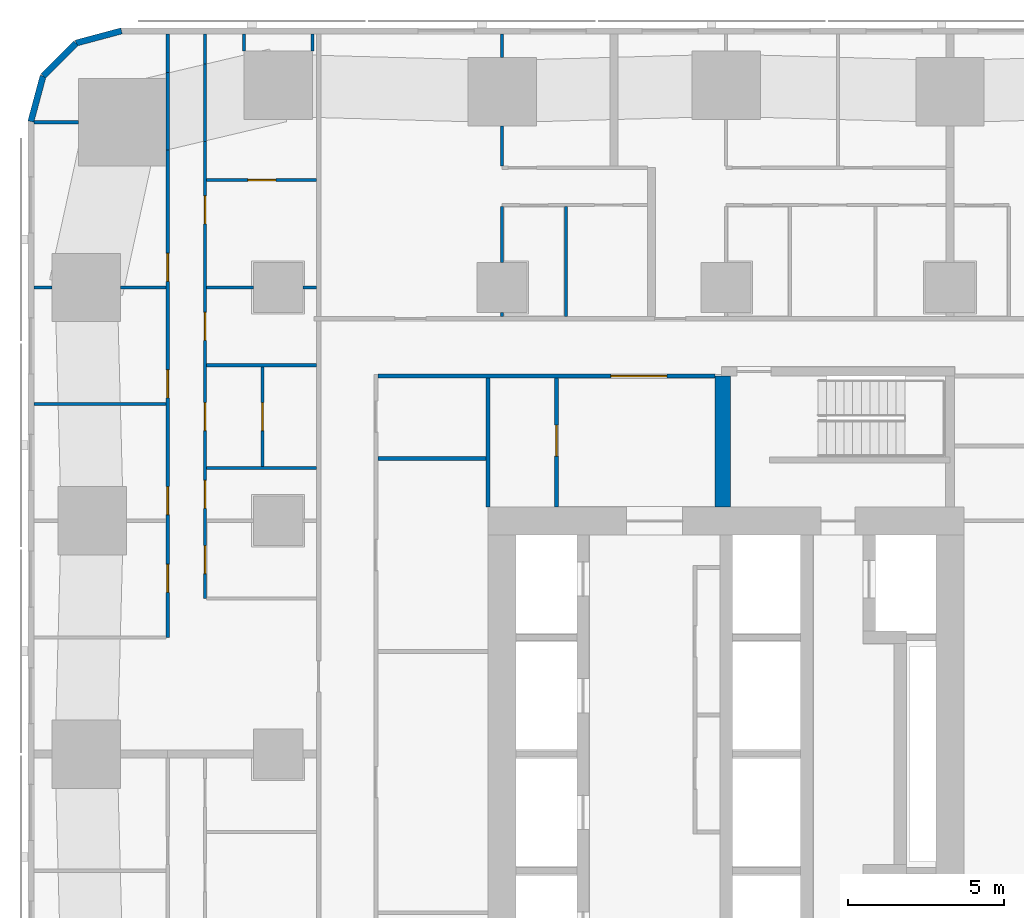
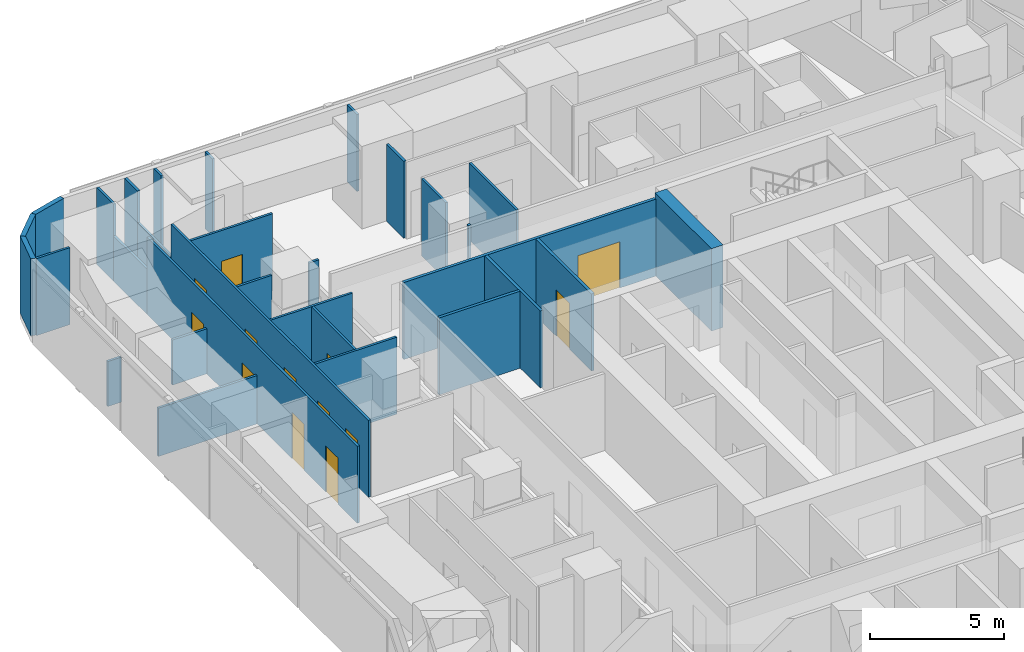
# One storey, part 9 of 17: 31 walls, 13 doors, 13 openings.
"""IFC4 building model written with IfcOpenShell, lengths in metres."""

from ifc_helpers import new_model, si_unit, direction, frame, frame_2d, origin, place, context, subcontext, project, spatial, rectangle, extrude, material, layer, layer_set, type_object, element, fill, save


model = new_model("IFC4")

# Units and contexts
model_context = context("Model", 3, precision=1e-05, world=origin(), true_north=direction((0.0, 1.0)))
body_context = subcontext(model_context, "Body", "Model", "MODEL_VIEW")
ifc_project = project(units=[si_unit("LENGTHUNIT", "METRE"), si_unit("AREAUNIT", "SQUARE_METRE"), si_unit("VOLUMEUNIT", "CUBIC_METRE"), si_unit("PLANEANGLEUNIT", "RADIAN"), si_unit("MASSUNIT", "GRAM", prefix="KILO")], contexts=[model_context])

# Site, building, storey
site_placement = place(None, origin())
site = spatial("IfcSite", under=ifc_project, at=site_placement, CompositionType="ELEMENT")
building_placement = place(site_placement, origin())
building = spatial("IfcBuilding", under=site, at=building_placement, Name="Sheger Commons Tower", CompositionType="ELEMENT")
storey_placement = place(building_placement, frame((0.0, 0.0, 115.39990234375)))
storey = spatial("IfcBuildingStorey", under=building, at=storey_placement, Name="L29", CompositionType="ELEMENT", Elevation=115.39990234375)

# Walls
ifc_material_1 = material(Name="Rendered concrete block masonry, dark grey", Category="masonry")
ifc_layer_1 = layer(ifc_material_1, 0.199951171875)
ifc_layer_set_1 = layer_set([ifc_layer_1], Name="FACADE WALL 200")
wall_type_1 = type_object("IfcWallType", Name="FACADE WALL 200", PredefinedType="SOLIDWALL", material=ifc_layer_set_1)
wall_1_placement = place(storey_placement, frame((2.1630859375, 45.75, 0.0), z_axis=(0.0, 0.0, 1.0), x_axis=(-0.965832000415, -0.259168954497, 0.0)))
element("IfcWall", 1, at=wall_1_placement, inside=storey, type_object=wall_type_1, Name="Facade wall L29", PredefinedType="SOLIDWALL", context=body_context, shape_type="SweptSolid", body=[
    extrude(rectangle(XDim=1.512939453125, YDim=0.199951171875, at=frame_2d((0.75634765625, 0.0))), origin(), (0.0, 0.0, 1.0), 3.5),
])
wall_2_placement = place(storey_placement, frame((0.701904296875, 45.35791015625, 0.0), z_axis=(0.0, 0.0, 1.0), x_axis=(-0.707106781187, -0.707106781187, 0.0)))
element("IfcWall", 2, at=wall_2_placement, inside=storey, type_object=wall_type_1, Name="Facade wall L29", PredefinedType="SOLIDWALL", context=body_context, shape_type="SweptSolid", body=[
    extrude(rectangle(XDim=1.498779296875, YDim=0.199951171875, at=frame_2d((0.74951171875, 0.0))), origin(), (0.0, 0.0, 1.0), 3.5),
])
wall_3_placement = place(storey_placement, frame((-0.35791015625, 44.298095703125, 0.0), z_axis=(0.0, 0.0, 1.0), x_axis=(-0.259168954497, -0.965832000415, 0.0)))
element("IfcWall", 3, at=wall_3_placement, inside=storey, type_object=wall_type_1, Name="Facade wall L29", PredefinedType="SOLIDWALL", context=body_context, shape_type="SweptSolid", body=[
    extrude(rectangle(XDim=1.512939453125, YDim=0.199951171875, at=frame_2d((0.75634765625, 0.0))), origin(), (0.0, 0.0, 1.0), 3.5),
])
ifc_material_2 = material(Name="Gypsum board on steel studs", Category="steel")
ifc_layer_2 = layer(ifc_material_2, 0.10009765625)
ifc_layer_set_2 = layer_set([ifc_layer_2], Name="PARTITION 100")
wall_type_2 = type_object("IfcWallType", Name="PARTITION 100", PredefinedType="PARTITIONING", material=ifc_layer_set_2)
for number, where, z_axis, x_axis, name in (
    (4, (6.10009765625, 45.10009765625, 0.0), (0.0, 0.0, 1.0), (0.0, 1.0, 0.0), "Partition L29"),
    (5, (8.300048828125, 45.64990234375, 0.0), (0.0, 0.0, 1.0), (0.0, -1.0, 0.0), "Partition L29"),
):
    element("IfcWall", number, at=place(storey_placement, frame(where, z_axis=z_axis, x_axis=x_axis)), inside=storey, type_object=wall_type_2, Name=name, PredefinedType="PARTITIONING", context=body_context, shape_type="SweptSolid", body=[
        extrude(rectangle(XDim=0.5498046875, YDim=0.10009765625, at=frame_2d((0.27490234375, 0.0))), origin(), (0.0, 0.0, 1.0), 3.5),
    ])

# Wall, openings, doors
wall_4_placement = place(storey_placement, frame((3.64990234375, 26.25, 0.0), z_axis=(0.0, 0.0, 1.0), x_axis=(0.0, 1.0, 0.0)))
wall_4 = element("IfcWall", 6, at=wall_4_placement, inside=storey, type_object=wall_type_2, Name="Partition L29", PredefinedType="PARTITIONING", context=body_context, shape_type="SweptSolid", body=[
    extrude(rectangle(XDim=15.6650390625, YDim=0.10009765625, at=frame_2d((7.83251953125, 0.0))), origin(), (0.0, 0.0, 1.0), 3.5),
])
opening_1_placement = place(wall_4_placement, frame((1.448974609375, 0.0, 0.0)))
opening_1 = element("IfcOpeningElement", 7, at=opening_1_placement, cuts=wall_4, Name="Opening D2", PredefinedType="OPENING", context=body_context, shape_type="SweptSolid", body=[
    extrude(rectangle(XDim=0.89990234375, YDim=2.10009765625, at=frame_2d((0.449951171875, 1.050048828125))), frame((0.0, 0.06005859375, 0.0), z_axis=(0.0, -1.0, 0.0), x_axis=(1.0, 0.0, 0.0)), (0.0, 0.0, 1.0), 0.1201171875),
])
opening_2_placement = place(wall_4_placement, frame((3.949951171875, 0.0, 0.0)))
opening_2 = element("IfcOpeningElement", 8, at=opening_2_placement, cuts=wall_4, Name="Opening D2", PredefinedType="OPENING", context=body_context, shape_type="SweptSolid", body=[
    extrude(rectangle(XDim=0.89990234375, YDim=2.10009765625, at=frame_2d((0.449951171875, 1.050048828125))), frame((0.0, 0.06005859375, 0.0), z_axis=(0.0, -1.0, 0.0), x_axis=(1.0, 0.0, 0.0)), (0.0, 0.0, 1.0), 0.1201171875),
])
opening_3_placement = place(wall_4_placement, frame((7.699951171875, 0.0, 0.0)))
opening_3 = element("IfcOpeningElement", 9, at=opening_3_placement, cuts=wall_4, Name="Opening D2", PredefinedType="OPENING", context=body_context, shape_type="SweptSolid", body=[
    extrude(rectangle(XDim=0.89990234375, YDim=2.10009765625, at=frame_2d((0.449951171875, 1.050048828125))), frame((0.0, 0.06005859375, 0.0), z_axis=(0.0, -1.0, 0.0), x_axis=(1.0, 0.0, 0.0)), (0.0, 0.0, 1.0), 0.1201171875),
])
opening_4_placement = place(wall_4_placement, frame((11.449951171875, 0.0, 0.0)))
opening_4 = element("IfcOpeningElement", 10, at=opening_4_placement, cuts=wall_4, Name="Opening D2", PredefinedType="OPENING", context=body_context, shape_type="SweptSolid", body=[
    extrude(rectangle(XDim=0.89990234375, YDim=2.10009765625, at=frame_2d((0.449951171875, 1.050048828125))), frame((0.0, 0.06005859375, 0.0), z_axis=(0.0, -1.0, 0.0), x_axis=(1.0, 0.0, 0.0)), (0.0, 0.0, 1.0), 0.1201171875),
])
ifc_material_3 = material(Name="Timber door set", Category="wood")
door_type_1 = type_object("IfcDoorType", Name="INTERNAL DOOR 900x2100", OperationType="NOTDEFINED", PredefinedType="DOOR", material=ifc_material_3)
door_1_placement = place(opening_1_placement, origin())
door_1 = element("IfcDoor", 11, at=door_1_placement, inside=storey, type_object=door_type_1, Name="Main bedroom door", OperationType="SINGLE_SWING_LEFT", OverallHeight=2.10009765625, OverallWidth=0.89990234375, PredefinedType="DOOR", context=body_context, shape_type="SweptSolid", body=[
    extrude(rectangle(XDim=0.89990234375, YDim=2.10009765625, at=frame_2d((0.449951171875, 1.050048828125))), frame((0.0, 0.02490234375, 0.0), z_axis=(0.0, -1.0, 0.0), x_axis=(1.0, 0.0, 0.0)), (0.0, 0.0, 1.0), 0.050048828125),
])
fill(opening_1, door_1)
door_2_placement = place(opening_2_placement, origin())
door_2 = element("IfcDoor", 12, at=door_2_placement, inside=storey, type_object=door_type_1, Name="Bedroom 2 door", OperationType="SINGLE_SWING_LEFT", OverallHeight=2.10009765625, OverallWidth=0.89990234375, PredefinedType="DOOR", context=body_context, shape_type="SweptSolid", body=[
    extrude(rectangle(XDim=0.89990234375, YDim=2.10009765625, at=frame_2d((0.449951171875, 1.050048828125))), frame((0.0, 0.02490234375, 0.0), z_axis=(0.0, -1.0, 0.0), x_axis=(1.0, 0.0, 0.0)), (0.0, 0.0, 1.0), 0.050048828125),
])
fill(opening_2, door_2)
door_3_placement = place(opening_3_placement, origin())
door_3 = element("IfcDoor", 13, at=door_3_placement, inside=storey, type_object=door_type_1, Name="Bedroom 3 door", OperationType="SINGLE_SWING_LEFT", OverallHeight=2.10009765625, OverallWidth=0.89990234375, PredefinedType="DOOR", context=body_context, shape_type="SweptSolid", body=[
    extrude(rectangle(XDim=0.89990234375, YDim=2.10009765625, at=frame_2d((0.449951171875, 1.050048828125))), frame((0.0, 0.02490234375, 0.0), z_axis=(0.0, -1.0, 0.0), x_axis=(1.0, 0.0, 0.0)), (0.0, 0.0, 1.0), 0.050048828125),
])
fill(opening_3, door_3)
door_4_placement = place(opening_4_placement, origin())
door_4 = element("IfcDoor", 14, at=door_4_placement, inside=storey, type_object=door_type_1, Name="Bedroom 4 door", OperationType="SINGLE_SWING_LEFT", OverallHeight=2.10009765625, OverallWidth=0.89990234375, PredefinedType="DOOR", context=body_context, shape_type="SweptSolid", body=[
    extrude(rectangle(XDim=0.89990234375, YDim=2.10009765625, at=frame_2d((0.449951171875, 1.050048828125))), frame((0.0, 0.02490234375, 0.0), z_axis=(0.0, -1.0, 0.0), x_axis=(1.0, 0.0, 0.0)), (0.0, 0.0, 1.0), 0.050048828125),
])
fill(opening_4, door_4)

# Walls
wall_5_placement = place(storey_placement, frame((3.64990234375, 41.9150390625, 0.0), z_axis=(0.0, 0.0, 1.0), x_axis=(0.0, 1.0, 0.0)))
element("IfcWall", 15, at=wall_5_placement, inside=storey, type_object=wall_type_2, Name="Partition L29", PredefinedType="PARTITIONING", context=body_context, shape_type="SweptSolid", body=[
    extrude(rectangle(XDim=2.489990234375, YDim=0.10009765625, at=frame_2d((1.2451171875, 0.0))), origin(), (0.0, 0.0, 1.0), 2.050048828125),
])
wall_6_placement = place(storey_placement, frame((3.64990234375, 44.405029296875, 0.0), z_axis=(0.0, 0.0, 1.0), x_axis=(0.0, 1.0, 0.0)))
element("IfcWall", 16, at=wall_6_placement, inside=storey, type_object=wall_type_2, Name="Partition L29", PredefinedType="PARTITIONING", context=body_context, shape_type="SweptSolid", body=[
    extrude(rectangle(XDim=1.244873046875, YDim=0.10009765625, at=frame_2d((0.62255859375, 0.0))), origin(), (0.0, 0.0, 1.0), 3.5),
])

# Wall, openings, doors
wall_7_placement = place(storey_placement, frame((4.85009765625, 27.4990234375, 0.0), z_axis=(0.0, 0.0, 1.0), x_axis=(0.0, 1.0, 0.0)))
wall_7 = element("IfcWall", 17, at=wall_7_placement, inside=storey, type_object=wall_type_2, Name="Partition L29", PredefinedType="PARTITIONING", context=body_context, shape_type="SweptSolid", body=[
    extrude(rectangle(XDim=14.699951171875, YDim=0.10009765625, at=frame_2d((7.35009765625, 0.0))), origin(), (0.0, 0.0, 1.0), 3.5),
])
opening_5_placement = place(wall_7_placement, frame((0.800048828125, 0.0, 0.0)))
opening_5 = element("IfcOpeningElement", 18, at=opening_5_placement, cuts=wall_7, Name="Opening D2", PredefinedType="OPENING", context=body_context, shape_type="SweptSolid", body=[
    extrude(rectangle(XDim=0.89990234375, YDim=2.10009765625, at=frame_2d((0.449951171875, 1.050048828125))), frame((0.0, 0.06005859375, 0.0), z_axis=(0.0, -1.0, 0.0), x_axis=(1.0, 0.0, 0.0)), (0.0, 0.0, 1.0), 0.1201171875),
])
opening_6_placement = place(wall_7_placement, frame((2.90087890625, 0.0, 0.0)))
opening_6 = element("IfcOpeningElement", 19, at=opening_6_placement, cuts=wall_7, Name="Opening D2", PredefinedType="OPENING", context=body_context, shape_type="SweptSolid", body=[
    extrude(rectangle(XDim=0.89990234375, YDim=2.10009765625, at=frame_2d((0.449951171875, 1.050048828125))), frame((0.0, 0.06005859375, 0.0), z_axis=(0.0, -1.0, 0.0), x_axis=(1.0, 0.0, 0.0)), (0.0, 0.0, 1.0), 0.1201171875),
])
opening_7_placement = place(wall_7_placement, frame((8.300048828125, 0.0, 0.0)))
opening_7 = element("IfcOpeningElement", 20, at=opening_7_placement, cuts=wall_7, Name="Opening D2", PredefinedType="OPENING", context=body_context, shape_type="SweptSolid", body=[
    extrude(rectangle(XDim=0.89990234375, YDim=2.10009765625, at=frame_2d((0.449951171875, 1.050048828125))), frame((0.0, 0.06005859375, 0.0), z_axis=(0.0, -1.0, 0.0), x_axis=(1.0, 0.0, 0.0)), (0.0, 0.0, 1.0), 0.1201171875),
])
opening_8_placement = place(wall_7_placement, frame((12.050048828125, 0.0, 0.0)))
opening_8 = element("IfcOpeningElement", 21, at=opening_8_placement, cuts=wall_7, Name="Opening D2", PredefinedType="OPENING", context=body_context, shape_type="SweptSolid", body=[
    extrude(rectangle(XDim=0.89990234375, YDim=2.10009765625, at=frame_2d((0.449951171875, 1.050048828125))), frame((0.0, 0.06005859375, 0.0), z_axis=(0.0, -1.0, 0.0), x_axis=(1.0, 0.0, 0.0)), (0.0, 0.0, 1.0), 0.1201171875),
])
opening_9_placement = place(wall_7_placement, frame((5.39990234375, 0.0, 0.0)))
opening_9 = element("IfcOpeningElement", 22, at=opening_9_placement, cuts=wall_7, Name="Opening D2", PredefinedType="OPENING", context=body_context, shape_type="SweptSolid", body=[
    extrude(rectangle(XDim=0.89990234375, YDim=2.10009765625, at=frame_2d((0.449951171875, 1.050048828125))), frame((0.0, 0.06005859375, 0.0), z_axis=(0.0, -1.0, 0.0), x_axis=(1.0, 0.0, 0.0)), (0.0, 0.0, 1.0), 0.1201171875),
])
door_5_placement = place(opening_5_placement, origin())
door_5 = element("IfcDoor", 23, at=door_5_placement, inside=storey, type_object=door_type_1, Name="Bathroom door", OperationType="SINGLE_SWING_RIGHT", OverallHeight=2.10009765625, OverallWidth=0.89990234375, PredefinedType="DOOR", context=body_context, shape_type="SweptSolid", body=[
    extrude(rectangle(XDim=0.89990234375, YDim=2.10009765625, at=frame_2d((0.449951171875, 1.050048828125))), frame((0.0, 0.02490234375, 0.0), z_axis=(0.0, -1.0, 0.0), x_axis=(1.0, 0.0, 0.0)), (0.0, 0.0, 1.0), 0.050048828125),
])
fill(opening_5, door_5)
door_6_placement = place(opening_6_placement, origin())
door_6 = element("IfcDoor", 24, at=door_6_placement, inside=storey, type_object=door_type_1, Name="Laundry room door", OperationType="SINGLE_SWING_RIGHT", OverallHeight=2.10009765625, OverallWidth=0.89990234375, PredefinedType="DOOR", context=body_context, shape_type="SweptSolid", body=[
    extrude(rectangle(XDim=0.89990234375, YDim=2.10009765625, at=frame_2d((0.449951171875, 1.050048828125))), frame((0.0, 0.02490234375, 0.0), z_axis=(0.0, -1.0, 0.0), x_axis=(1.0, 0.0, 0.0)), (0.0, 0.0, 1.0), 0.050048828125),
])
fill(opening_6, door_6)
door_7_placement = place(opening_7_placement, origin())
door_7 = element("IfcDoor", 25, at=door_7_placement, inside=storey, type_object=door_type_1, Name="Store and laundry door", OperationType="SINGLE_SWING_RIGHT", OverallHeight=2.10009765625, OverallWidth=0.89990234375, PredefinedType="DOOR", context=body_context, shape_type="SweptSolid", body=[
    extrude(rectangle(XDim=0.89990234375, YDim=2.10009765625, at=frame_2d((0.449951171875, 1.050048828125))), frame((0.0, 0.02490234375, 0.0), z_axis=(0.0, -1.0, 0.0), x_axis=(1.0, 0.0, 0.0)), (0.0, 0.0, 1.0), 0.050048828125),
])
fill(opening_7, door_7)
door_8_placement = place(opening_8_placement, origin())
door_8 = element("IfcDoor", 26, at=door_8_placement, inside=storey, type_object=door_type_1, Name="Store and laundry door", OperationType="SINGLE_SWING_LEFT", OverallHeight=2.10009765625, OverallWidth=0.89990234375, PredefinedType="DOOR", context=body_context, shape_type="SweptSolid", body=[
    extrude(rectangle(XDim=0.89990234375, YDim=2.10009765625, at=frame_2d((0.449951171875, 1.050048828125))), frame((0.0, 0.02490234375, 0.0), z_axis=(0.0, -1.0, 0.0), x_axis=(1.0, 0.0, 0.0)), (0.0, 0.0, 1.0), 0.050048828125),
])
fill(opening_8, door_8)
door_9_placement = place(opening_9_placement, origin())
door_9 = element("IfcDoor", 27, at=door_9_placement, inside=storey, type_object=door_type_1, Name="Store door", OperationType="SINGLE_SWING_LEFT", OverallHeight=2.10009765625, OverallWidth=0.89990234375, PredefinedType="DOOR", context=body_context, shape_type="SweptSolid", body=[
    extrude(rectangle(XDim=0.89990234375, YDim=2.10009765625, at=frame_2d((0.449951171875, 1.050048828125))), frame((0.0, 0.02490234375, 0.0), z_axis=(0.0, -1.0, 0.0), x_axis=(1.0, 0.0, 0.0)), (0.0, 0.0, 1.0), 0.050048828125),
])
fill(opening_9, door_9)

# Walls
wall_8_placement = place(storey_placement, frame((4.85009765625, 42.198974609375, 0.0), z_axis=(0.0, 0.0, 1.0), x_axis=(0.0, 1.0, 0.0)))
element("IfcWall", 28, at=wall_8_placement, inside=storey, type_object=wall_type_2, Name="Partition L29", PredefinedType="PARTITIONING", context=body_context, shape_type="SweptSolid", body=[
    extrude(rectangle(XDim=2.489990234375, YDim=0.10009765625, at=frame_2d((1.2451171875, 0.0))), origin(), (0.0, 0.0, 1.0), 2.050048828125),
])
wall_9_placement = place(storey_placement, frame((4.85009765625, 44.68896484375, 0.0), z_axis=(0.0, 0.0, 1.0), x_axis=(0.0, 1.0, 0.0)))
element("IfcWall", 29, at=wall_9_placement, inside=storey, type_object=wall_type_2, Name="Partition L29", PredefinedType="PARTITIONING", context=body_context, shape_type="SweptSolid", body=[
    extrude(rectangle(XDim=0.9609375, YDim=0.10009765625, at=frame_2d((0.48046875, 0.0))), origin(), (0.0, 0.0, 1.0), 3.5),
])
wall_10_placement = place(storey_placement, frame((-0.64990234375, 33.75, 0.0), z_axis=(0.0, 0.0, 1.0), x_axis=(1.0, 0.0, 0.0)))
element("IfcWall", 30, at=wall_10_placement, inside=storey, type_object=wall_type_2, Name="Partition L29", PredefinedType="PARTITIONING", context=body_context, shape_type="SweptSolid", body=[
    extrude(rectangle(XDim=4.25, YDim=0.10009765625, at=frame_2d((2.125, 0.0))), origin(), (0.0, 0.0, 1.0), 2.2001953125),
])
wall_11_placement = place(storey_placement, frame((-0.64990234375, 37.5, 0.0), z_axis=(0.0, 0.0, 1.0), x_axis=(1.0, 0.0, 0.0)))
element("IfcWall", 31, at=wall_11_placement, inside=storey, type_object=wall_type_2, Name="Partition L29", PredefinedType="PARTITIONING", context=body_context, shape_type="SweptSolid", body=[
    extrude(rectangle(XDim=0.573974609375, YDim=0.10009765625, at=frame_2d((0.287109375, 0.0))), origin(), (0.0, 0.0, 1.0), 2.050048828125),
])
wall_12_placement = place(storey_placement, frame((2.1259765625, 37.5, 0.0), z_axis=(0.0, 0.0, 1.0), x_axis=(1.0, 0.0, 0.0)))
element("IfcWall", 32, at=wall_12_placement, inside=storey, type_object=wall_type_2, Name="Partition L29", PredefinedType="PARTITIONING", context=body_context, shape_type="SweptSolid", body=[
    extrude(rectangle(XDim=1.47412109375, YDim=0.10009765625, at=frame_2d((0.737060546875, 0.0))), origin(), (0.0, 0.0, 1.0), 2.050048828125),
])
wall_13_placement = place(storey_placement, frame((-0.64990234375, 42.81396484375, 0.0), z_axis=(0.0, 0.0, 1.0), x_axis=(1.0, 0.0, 0.0)))
element("IfcWall", 33, at=wall_13_placement, inside=storey, type_object=wall_type_2, Name="Partition L29", PredefinedType="PARTITIONING", context=body_context, shape_type="SweptSolid", body=[
    extrude(rectangle(XDim=1.434814453125, YDim=0.10009765625, at=frame_2d((0.71728515625, 0.0))), origin(), (0.0, 0.0, 1.0), 3.5),
])
wall_14_placement = place(storey_placement, frame((4.89990234375, 34.9990234375, 0.0), z_axis=(0.0, 0.0, 1.0), x_axis=(1.0, 0.0, 0.0)))
element("IfcWall", 34, at=wall_14_placement, inside=storey, type_object=wall_type_2, Name="Partition L29", PredefinedType="PARTITIONING", context=body_context, shape_type="SweptSolid", body=[
    extrude(rectangle(XDim=3.525146484375, YDim=0.10009765625, at=frame_2d((1.7626953125, 0.0))), origin(), (0.0, 0.0, 1.0), 3.5),
])
wall_15_placement = place(storey_placement, frame((4.89990234375, 37.5, 0.0), z_axis=(0.0, 0.0, 1.0), x_axis=(1.0, 0.0, 0.0)))
element("IfcWall", 35, at=wall_15_placement, inside=storey, type_object=wall_type_2, Name="Partition L29", PredefinedType="PARTITIONING", context=body_context, shape_type="SweptSolid", body=[
    extrude(rectangle(XDim=1.4990234375, YDim=0.10009765625, at=frame_2d((0.74951171875, 0.0))), origin(), (0.0, 0.0, 1.0), 3.5),
])
wall_16_placement = place(storey_placement, frame((8.0009765625, 37.5, 0.0), z_axis=(0.0, 0.0, 1.0), x_axis=(1.0, 0.0, 0.0)))
element("IfcWall", 36, at=wall_16_placement, inside=storey, type_object=wall_type_2, Name="Partition L29", PredefinedType="PARTITIONING", context=body_context, shape_type="SweptSolid", body=[
    extrude(rectangle(XDim=0.424072265625, YDim=0.10009765625, at=frame_2d((0.2119140625, 0.0))), origin(), (0.0, 0.0, 1.0), 3.5),
])
wall_17_placement = place(storey_placement, frame((4.89990234375, 31.699951171875, 0.0), z_axis=(0.0, 0.0, 1.0), x_axis=(1.0, 0.0, 0.0)))
element("IfcWall", 37, at=wall_17_placement, inside=storey, type_object=wall_type_2, Name="Partition L29", PredefinedType="PARTITIONING", context=body_context, shape_type="SweptSolid", body=[
    extrude(rectangle(XDim=3.525146484375, YDim=0.10009765625, at=frame_2d((1.7626953125, 0.0))), origin(), (0.0, 0.0, 1.0), 3.5),
])
wall_18_placement = place(storey_placement, frame((14.39990234375, 41.39990234375, 0.0), z_axis=(0.0, 0.0, 1.0), x_axis=(0.0, 1.0, 0.0)))
element("IfcWall", 38, at=wall_18_placement, inside=storey, type_object=wall_type_2, Name="Partition L29", PredefinedType="PARTITIONING", context=body_context, shape_type="SweptSolid", body=[
    extrude(rectangle(XDim=1.299072265625, YDim=0.10009765625, at=frame_2d((0.6494140625, 0.0))), origin(), (0.0, 0.0, 1.0), 3.5),
])
wall_19_placement = place(storey_placement, frame((14.39990234375, 44.90087890625, 0.0), z_axis=(0.0, 0.0, 1.0), x_axis=(0.0, 1.0, 0.0)))
element("IfcWall", 39, at=wall_19_placement, inside=storey, type_object=wall_type_2, Name="Partition L29", PredefinedType="PARTITIONING", context=body_context, shape_type="SweptSolid", body=[
    extrude(rectangle(XDim=0.7490234375, YDim=0.10009765625, at=frame_2d((0.37451171875, 0.0))), origin(), (0.0, 0.0, 1.0), 3.5),
])
wall_20_placement = place(storey_placement, frame((14.39990234375, 36.574951171875, 0.0), z_axis=(0.0, 0.0, 1.0), x_axis=(0.0, 1.0, 0.0)))
element("IfcWall", 40, at=wall_20_placement, inside=storey, type_object=wall_type_2, Name="Partition L29", PredefinedType="PARTITIONING", context=body_context, shape_type="SweptSolid", body=[
    extrude(rectangle(XDim=0.1240234375, YDim=0.10009765625, at=frame_2d((0.06201171875, 0.0))), origin(), (0.0, 0.0, 1.0), 3.5),
])
wall_21_placement = place(storey_placement, frame((14.39990234375, 38.301025390625, 0.0), z_axis=(0.0, 0.0, 1.0), x_axis=(0.0, 1.0, 0.0)))
element("IfcWall", 41, at=wall_21_placement, inside=storey, type_object=wall_type_2, Name="Partition L29", PredefinedType="PARTITIONING", context=body_context, shape_type="SweptSolid", body=[
    extrude(rectangle(XDim=1.799072265625, YDim=0.10009765625, at=frame_2d((0.8994140625, 0.0))), origin(), (0.0, 0.0, 1.0), 3.5),
])
wall_22_placement = place(storey_placement, frame((16.449951171875, 36.574951171875, 0.0), z_axis=(0.0, 0.0, 1.0), x_axis=(0.0, 1.0, 0.0)))
element("IfcWall", 42, at=wall_22_placement, inside=storey, type_object=wall_type_2, Name="Partition L29", PredefinedType="PARTITIONING", context=body_context, shape_type="SweptSolid", body=[
    extrude(rectangle(XDim=3.525146484375, YDim=0.10009765625, at=frame_2d((1.7626953125, 0.0))), origin(), (0.0, 0.0, 1.0), 3.5),
])

# Wall, opening, door
wall_23_placement = place(storey_placement, frame((6.699951171875, 31.75, 0.0), z_axis=(0.0, 0.0, 1.0), x_axis=(0.0, 1.0, 0.0)))
wall_23 = element("IfcWall", 43, at=wall_23_placement, inside=storey, type_object=wall_type_2, Name="Partition L29", PredefinedType="PARTITIONING", context=body_context, shape_type="SweptSolid", body=[
    extrude(rectangle(XDim=3.198974609375, YDim=0.10009765625, at=frame_2d((1.599609375, 0.0))), origin(), (0.0, 0.0, 1.0), 3.5),
])
opening_10_placement = place(wall_23_placement, frame((1.14892578125, 0.0, 0.0)))
opening_10 = element("IfcOpeningElement", 44, at=opening_10_placement, cuts=wall_23, Name="Opening D2", PredefinedType="OPENING", context=body_context, shape_type="SweptSolid", body=[
    extrude(rectangle(XDim=0.89990234375, YDim=2.10009765625, at=frame_2d((0.449951171875, 1.050048828125))), frame((0.0, 0.06005859375, 0.0), z_axis=(0.0, -1.0, 0.0), x_axis=(1.0, 0.0, 0.0)), (0.0, 0.0, 1.0), 0.1201171875),
])
door_10_placement = place(opening_10_placement, origin())
door_10 = element("IfcDoor", 45, at=door_10_placement, inside=storey, type_object=door_type_1, Name="Store door", OperationType="SINGLE_SWING_LEFT", OverallHeight=2.10009765625, OverallWidth=0.89990234375, PredefinedType="DOOR", context=body_context, shape_type="SweptSolid", body=[
    extrude(rectangle(XDim=0.89990234375, YDim=2.10009765625, at=frame_2d((0.449951171875, 1.050048828125))), frame((0.0, 0.02490234375, 0.0), z_axis=(0.0, -1.0, 0.0), x_axis=(1.0, 0.0, 0.0)), (0.0, 0.0, 1.0), 0.050048828125),
])
fill(opening_10, door_10)

wall_24_placement = place(storey_placement, frame((8.425048828125, 40.949951171875, 0.0), z_axis=(0.0, 0.0, 1.0), x_axis=(-1.0, 0.0, 0.0)))
wall_24 = element("IfcWall", 46, at=wall_24_placement, inside=storey, type_object=wall_type_2, Name="Partition L29", PredefinedType="PARTITIONING", context=body_context, shape_type="SweptSolid", body=[
    extrude(rectangle(XDim=3.525146484375, YDim=0.10009765625, at=frame_2d((1.7626953125, 0.0))), origin(), (0.0, 0.0, 1.0), 3.5),
])
opening_11_placement = place(wall_24_placement, frame((1.300048828125, 0.0, 0.0)))
opening_11 = element("IfcOpeningElement", 47, at=opening_11_placement, cuts=wall_24, Name="Opening D2", PredefinedType="OPENING", context=body_context, shape_type="SweptSolid", body=[
    extrude(rectangle(XDim=0.89990234375, YDim=2.10009765625, at=frame_2d((0.449951171875, 1.050048828125))), frame((0.0, 0.06005859375, 0.0), z_axis=(0.0, -1.0, 0.0), x_axis=(1.0, 0.0, 0.0)), (0.0, 0.0, 1.0), 0.1201171875),
])
door_11_placement = place(opening_11_placement, origin())
door_11 = element("IfcDoor", 48, at=door_11_placement, inside=storey, type_object=door_type_1, Name="Store door", OperationType="SINGLE_SWING_LEFT", OverallHeight=2.10009765625, OverallWidth=0.89990234375, PredefinedType="DOOR", context=body_context, shape_type="SweptSolid", body=[
    extrude(rectangle(XDim=0.89990234375, YDim=2.10009765625, at=frame_2d((0.449951171875, 1.050048828125))), frame((0.0, 0.02490234375, 0.0), z_axis=(0.0, -1.0, 0.0), x_axis=(1.0, 0.0, 0.0)), (0.0, 0.0, 1.0), 0.050048828125),
])
fill(opening_11, door_11)

# Walls
ifc_material_4 = material(Name="Gypsum board on steel studs, two layers each side, fire rated", Category="steel")
ifc_layer_3 = layer(ifc_material_4, 0.125)
ifc_layer_set_3 = layer_set([ifc_layer_3], Name="SERVICE WALL 125")
wall_type_3 = type_object("IfcWallType", Name="SERVICE WALL 125", PredefinedType="PARTITIONING", material=ifc_layer_set_3)
wall_25_placement = place(storey_placement, frame((10.4130859375, 32.0, 0.0), z_axis=(0.0, 0.0, 1.0), x_axis=(1.0, 0.0, 0.0)))
element("IfcWall", 49, at=wall_25_placement, inside=storey, type_object=wall_type_3, Name="Service room wall L29", PredefinedType="PARTITIONING", context=body_context, shape_type="SweptSolid", body=[
    extrude(rectangle(XDim=3.474853515625, YDim=0.125, at=frame_2d((1.7373046875, 0.0))), origin(), (0.0, 0.0, 1.0), 3.5),
])
wall_26_placement = place(storey_placement, frame((13.949951171875, 30.449951171875, 0.0), z_axis=(0.0, 0.0, 1.0), x_axis=(0.0, 1.0, 0.0)))
element("IfcWall", 50, at=wall_26_placement, inside=storey, type_object=wall_type_3, Name="Service room wall L29", PredefinedType="PARTITIONING", context=body_context, shape_type="SweptSolid", body=[
    extrude(rectangle(XDim=4.136962890625, YDim=0.125, at=frame_2d((2.068359375, 0.0))), origin(), (0.0, 0.0, 1.0), 3.5),
])

# Wall, opening, door
wall_27_placement = place(storey_placement, frame((10.4130859375, 34.64990234375, 0.0), z_axis=(0.0, 0.0, 1.0), x_axis=(1.0, 0.0, 0.0)))
wall_27 = element("IfcWall", 51, at=wall_27_placement, inside=storey, type_object=wall_type_3, Name="Service room wall L29", PredefinedType="PARTITIONING", context=body_context, shape_type="SweptSolid", body=[
    extrude(rectangle(XDim=10.8369140625, YDim=0.125, at=frame_2d((5.41845703125, 0.0))), origin(), (0.0, 0.0, 1.0), 3.5),
])
opening_12_placement = place(wall_27_placement, frame((7.487060546875, 0.0, 0.0)))
opening_12 = element("IfcOpeningElement", 52, at=opening_12_placement, cuts=wall_27, Name="Opening D6", PredefinedType="OPENING", context=body_context, shape_type="SweptSolid", body=[
    extrude(rectangle(XDim=1.800048828125, YDim=2.10009765625, at=frame_2d((0.89990234375, 1.050048828125))), frame((0.0, 0.072509765625, 0.0), z_axis=(0.0, -1.0, 0.0), x_axis=(1.0, 0.0, 0.0)), (0.0, 0.0, 1.0), 0.14501953125),
])
ifc_material_5 = material(Name="Steel door set, fire rated", Category="steel")
door_type_2 = type_object("IfcDoorType", Name="LOBBY DOUBLE DOOR 1800x2100", OperationType="DOUBLE_DOOR_SINGLE_SWING", PredefinedType="DOOR", material=ifc_material_5)
door_12_placement = place(opening_12_placement, origin())
door_12 = element("IfcDoor", 53, at=door_12_placement, inside=storey, type_object=door_type_2, Name="Lift lobby north door", OperationType="DOUBLE_DOOR_SINGLE_SWING", OverallHeight=2.10009765625, OverallWidth=1.800048828125, PredefinedType="DOOR", context=body_context, shape_type="SweptSolid", body=[
    extrude(rectangle(XDim=1.800048828125, YDim=2.10009765625, at=frame_2d((0.89990234375, 1.050048828125))), frame((0.0, 0.02490234375, 0.0), z_axis=(0.0, -1.0, 0.0), x_axis=(1.0, 0.0, 0.0)), (0.0, 0.0, 1.0), 0.050048828125),
])
fill(opening_12, door_12)

wall_28_placement = place(storey_placement, frame((16.14990234375, 30.449951171875, 0.0), z_axis=(0.0, 0.0, 1.0), x_axis=(0.0, 1.0, 0.0)))
wall_28 = element("IfcWall", 54, at=wall_28_placement, inside=storey, type_object=wall_type_3, Name="Service room wall L29", PredefinedType="PARTITIONING", context=body_context, shape_type="SweptSolid", body=[
    extrude(rectangle(XDim=4.136962890625, YDim=0.125, at=frame_2d((2.068359375, 0.0))), origin(), (0.0, 0.0, 1.0), 3.5),
])
opening_13_placement = place(wall_28_placement, frame((1.625, 0.0, 0.0)))
opening_13 = element("IfcOpeningElement", 55, at=opening_13_placement, cuts=wall_28, Name="Opening D4", PredefinedType="OPENING", context=body_context, shape_type="SweptSolid", body=[
    extrude(rectangle(XDim=1.0, YDim=2.10009765625, at=frame_2d((0.5, 1.050048828125))), frame((0.0, 0.072509765625, 0.0), z_axis=(0.0, -1.0, 0.0), x_axis=(1.0, 0.0, 0.0)), (0.0, 0.0, 1.0), 0.14501953125),
])
ifc_material_6 = material(Name="Steel door set, fire rated", Category="steel")
door_type_3 = type_object("IfcDoorType", Name="SERVICE DOOR 1000x2100", OperationType="NOTDEFINED", PredefinedType="DOOR", material=ifc_material_6)
door_13_placement = place(opening_13_placement, origin())
door_13 = element("IfcDoor", 56, at=door_13_placement, inside=storey, type_object=door_type_3, Name="Telecom room door", OperationType="SINGLE_SWING_RIGHT", OverallHeight=2.10009765625, OverallWidth=1.0, PredefinedType="DOOR", context=body_context, shape_type="SweptSolid", body=[
    extrude(rectangle(XDim=1.0, YDim=2.10009765625, at=frame_2d((0.5, 1.050048828125))), frame((0.0, 0.02490234375, 0.0), z_axis=(0.0, -1.0, 0.0), x_axis=(1.0, 0.0, 0.0)), (0.0, 0.0, 1.0), 0.050048828125),
])
fill(opening_13, door_13)

# Wall
ifc_material_7 = material(Name="Concrete C50/60", Category="concrete")
ifc_layer_4 = layer(ifc_material_7, 0.5)
ifc_layer_set_4 = layer_set([ifc_layer_4], Name="STAIR CORE WALL 500")
wall_type_4 = type_object("IfcWallType", Name="STAIR CORE WALL 500", PredefinedType="SHEAR", material=ifc_layer_set_4)
wall_29_placement = place(storey_placement, frame((21.5, 30.449951171875, 0.0), z_axis=(0.0, 0.0, 1.0), x_axis=(0.0, 1.0, 0.0)))
element("IfcWall", 57, at=wall_29_placement, inside=storey, type_object=wall_type_4, Name="STW-L29-S2W", PredefinedType="SHEAR", context=body_context, shape_type="SweptSolid", body=[
    extrude(rectangle(XDim=4.199951171875, YDim=0.5, at=frame_2d((2.10009765625, 0.0))), origin(), (0.0, 0.0, 1.0), 3.75),
])

save(model, "model.ifc")
